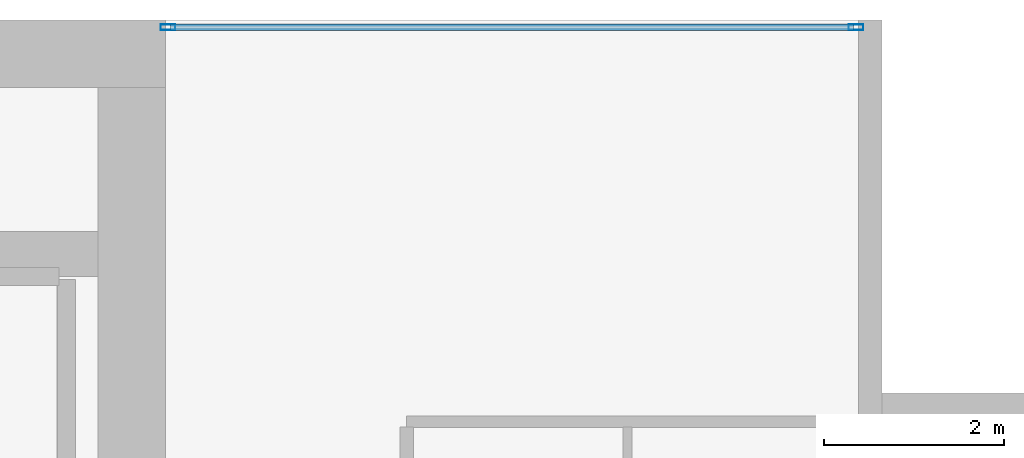
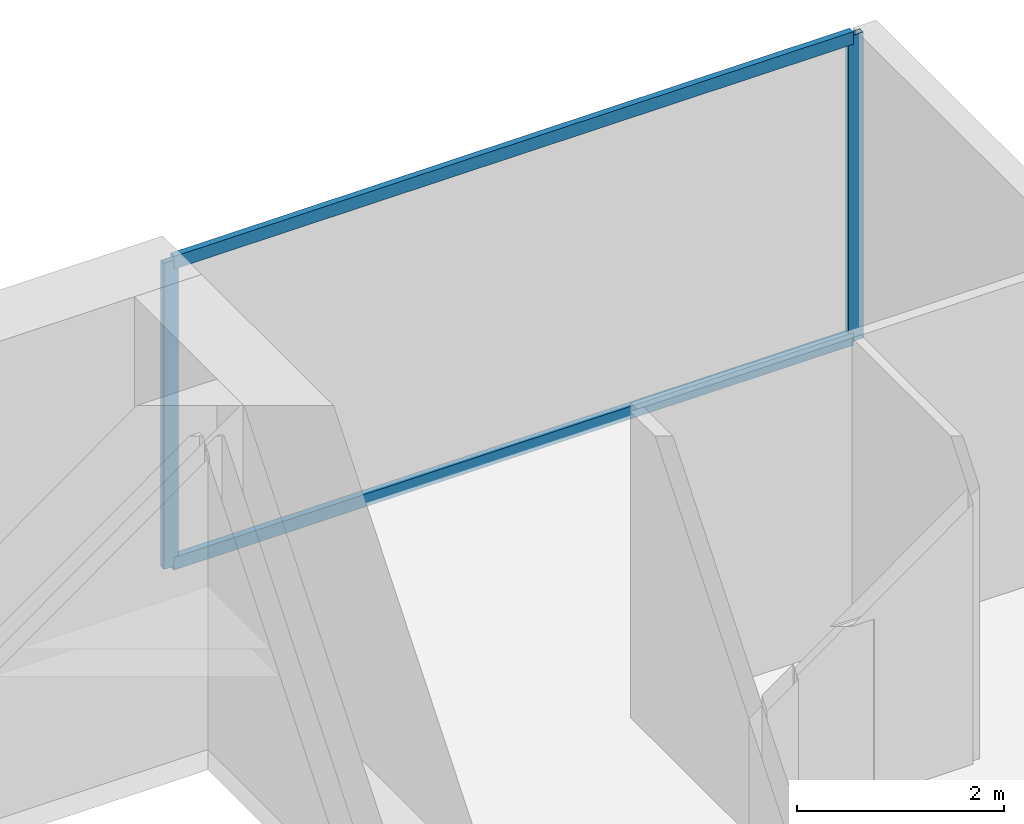
# One storey, part 25 of 33: 4 members, 1 element without a shape of its own.
"""IFC4 building model written with IfcOpenShell, lengths in metres."""

from ifc_helpers import new_model, si_unit, direction, frame, origin, origin_2d, place, context, subcontext, project, spatial, hollow_rectangle, extrude, material, layer, layer_set, material_profile, profile_set, type_object, element, aggregate, save


model = new_model("IFC4")

# Units and contexts
model_context = context("Model", 3, precision=1e-05, world=origin(), true_north=direction((0.0, 1.0)))
body_context = subcontext(model_context, "Body", "Model", "MODEL_VIEW")
ifc_project = project(units=[si_unit("LENGTHUNIT", "METRE"), si_unit("AREAUNIT", "SQUARE_METRE"), si_unit("VOLUMEUNIT", "CUBIC_METRE"), si_unit("PLANEANGLEUNIT", "RADIAN"), si_unit("MASSUNIT", "GRAM", prefix="KILO")], contexts=[model_context])

# Site, building, storey
site_placement = place(None, origin())
site = spatial("IfcSite", under=ifc_project, at=site_placement, CompositionType="ELEMENT")
building_placement = place(site_placement, origin())
building = spatial("IfcBuilding", under=site, at=building_placement, Name="Maruvema Waterfront Hotel and Observation Tower", CompositionType="ELEMENT")
storey_placement = place(building_placement, frame((0.0, 0.0, 169.75)))
storey = spatial("IfcBuildingStorey", under=building, at=storey_placement, Name="L41", CompositionType="ELEMENT", Elevation=169.75)

# Curtain wall, members
ifc_material_1 = material(Name="Anodised bronze aluminium and solar-control low-E IGU", Category="aluminium")
ifc_layer = layer(ifc_material_1, 0.159912109375, Name="Zone 2 Amber Inner Thermal Curtain Wall System CW-03")
ifc_layer_set = layer_set([ifc_layer], Name="Anodised bronze aluminium and solar-control low-E IGU")
curtain_wall_type = type_object("IfcCurtainWallType", Name="Zone 2 Amber Inner Thermal Curtain Wall System CW-03", PredefinedType="USERDEFINED", material=ifc_layer_set)
curtain_wall_placement = place(storey_placement, origin())
curtain_wall = element("IfcCurtainWall", 1, at=curtain_wall_placement, inside=storey, type_object=curtain_wall_type, Name="L41 Curtain Wall CW-L41-NE", ObjectType="UNITISED CURTAIN WALL", PredefinedType="USERDEFINED")
ifc_material_2 = material(Name="Anodised architectural bronze aluminium", Category="aluminium")
ifc_material_profile_1 = material_profile(ifc_material_2, hollow_rectangle(XDim=0.070068359375, YDim=0.14990234375, WallThickness=0.00390625, at=origin_2d()), Name="ALU-T70x150")
ifc_profile_set_1 = profile_set([ifc_material_profile_1], Name="Anodised architectural bronze aluminium")
member_type_1 = type_object("IfcMemberType", Name="Curtain Wall Horizontal Transom ALU-T70x150", PredefinedType="USERDEFINED", material=ifc_profile_set_1)
member_1_placement = place(storey_placement, frame((58.0400390625, 53.919921875, 0.030029296875), z_axis=(-1.0, 0.0, 0.0), x_axis=(0.0, -1.0, 0.0)))
member_1 = element("IfcMember", 2, at=member_1_placement, type_object=member_type_1, Name="CW-03 transom 1.1", ObjectType="TRANSOM", PredefinedType="USERDEFINED", context=body_context, shape_type="SweptSolid", body=[
    extrude(hollow_rectangle(XDim=0.070068359375, YDim=0.14990234375, WallThickness=0.00390625, at=origin_2d()), origin(), (0.0, 0.0, 1.0), 7.580078125),
])
member_2_placement = place(storey_placement, frame((58.0400390625, 53.919921875, 3.580078125), z_axis=(-1.0, 0.0, 0.0), x_axis=(0.0, -1.0, 0.0)))
member_2 = element("IfcMember", 3, at=member_2_placement, type_object=member_type_1, Name="CW-03 transom 1.2", ObjectType="TRANSOM", PredefinedType="USERDEFINED", context=body_context, shape_type="SweptSolid", body=[
    extrude(hollow_rectangle(XDim=0.070068359375, YDim=0.14990234375, WallThickness=0.00390625, at=origin_2d()), origin(), (0.0, 0.0, 1.0), 7.580078125),
])
ifc_material_3 = material(Name="Anodised architectural bronze aluminium", Category="aluminium")
ifc_material_profile_2 = material_profile(ifc_material_3, hollow_rectangle(XDim=0.06494140625, YDim=0.1650390625, WallThickness=0.00390625, at=origin_2d()), Name="ALU-M65x165")
ifc_profile_set_2 = profile_set([ifc_material_profile_2], Name="Anodised architectural bronze aluminium")
member_type_2 = type_object("IfcMemberType", Name="Curtain Wall Primary Mullion ALU-M65x165", PredefinedType="MULLION", material=ifc_profile_set_2)
member_3_placement = place(storey_placement, frame((58.070068359375, 53.919921875, 0.0), z_axis=(0.0, 0.0, 1.0), x_axis=(0.0, -1.0, 0.0)))
member_3 = element("IfcMember", 4, at=member_3_placement, type_object=member_type_2, Name="CW-03 mullion 1", PredefinedType="MULLION", context=body_context, shape_type="SweptSolid", body=[
    extrude(hollow_rectangle(XDim=0.06494140625, YDim=0.1650390625, WallThickness=0.00390625, at=origin_2d()), origin(), (0.0, 0.0, 1.0), 3.610107421875),
])
member_4_placement = place(storey_placement, frame((50.429931640625, 53.919921875, 0.0), z_axis=(0.0, 0.0, 1.0), x_axis=(0.0, -1.0, 0.0)))
member_4 = element("IfcMember", 5, at=member_4_placement, type_object=member_type_2, Name="CW-03 mullion 2", PredefinedType="MULLION", context=body_context, shape_type="SweptSolid", body=[
    extrude(hollow_rectangle(XDim=0.06494140625, YDim=0.1650390625, WallThickness=0.00390625, at=origin_2d()), origin(), (0.0, 0.0, 1.0), 3.610107421875),
])
aggregate(curtain_wall, [member_3, member_4, member_1, member_2])

save(model, "model.ifc")
